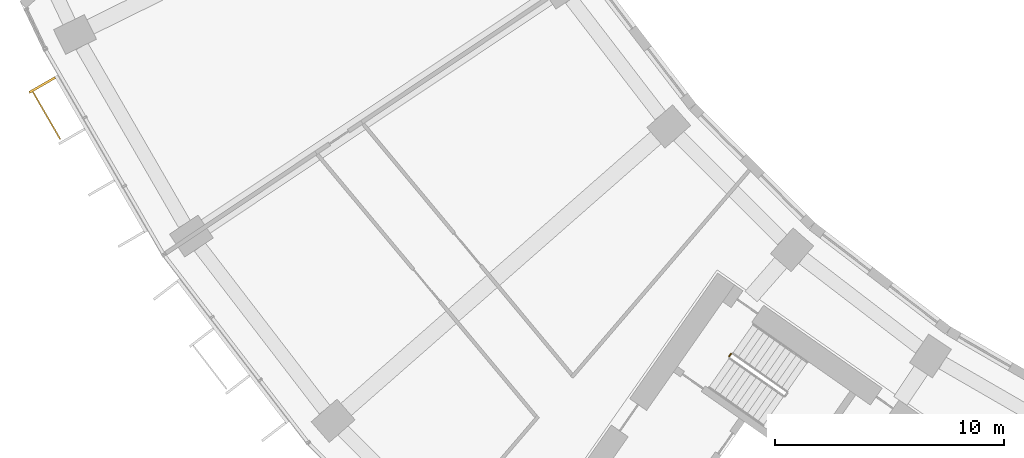
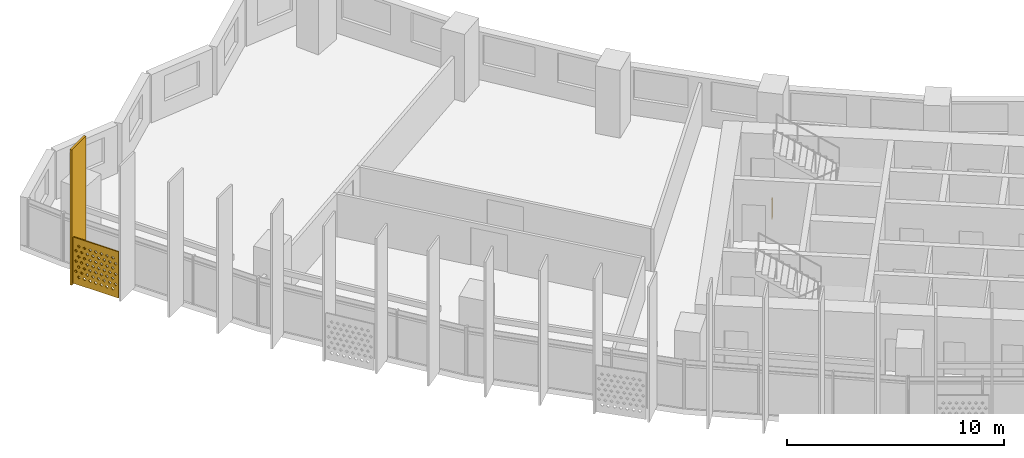
# One storey, part 26 of 30: 2 shading devices, 1 railing.
"""IFC4 building model written with IfcOpenShell, lengths in metres."""

from ifc_helpers import new_model, si_unit, direction, frame, origin, origin_2d, place, context, subcontext, project, spatial, polyline, rectangle, circle, outline, extrude, material, material_profile, profile_set, type_object, element, save


model = new_model("IFC4")

# Units and contexts
model_context = context("Model", 3, precision=1e-05, world=origin(), true_north=direction((0.0, 1.0)))
body_context = subcontext(model_context, "Body", "Model", "MODEL_VIEW")
ifc_project = project(units=[si_unit("LENGTHUNIT", "METRE"), si_unit("AREAUNIT", "SQUARE_METRE"), si_unit("VOLUMEUNIT", "CUBIC_METRE"), si_unit("PLANEANGLEUNIT", "RADIAN"), si_unit("MASSUNIT", "GRAM", prefix="KILO")], contexts=[model_context])

# Site, building, storey
site_placement = place(None, origin())
site = spatial("IfcSite", under=ifc_project, at=site_placement, CompositionType="ELEMENT")
building_placement = place(site_placement, origin())
building = spatial("IfcBuilding", under=site, at=building_placement, Name="Qamariyya Broadcast Tower", CompositionType="ELEMENT")
storey_placement = place(building_placement, frame((0.0, 0.0, 110.10009765625)))
storey = spatial("IfcBuildingStorey", under=building, at=storey_placement, Name="L24", CompositionType="ELEMENT", Elevation=110.10009765625)

# Shading device
ifc_material_1 = material(Name="Perforated glazed terracotta", Category="masonry")
ifc_material_profile_1 = material_profile(ifc_material_1, outline(polyline([(-1.199951171875, -1.300048828125), (1.199951171875, -1.300048828125), (1.199951171875, 1.300048828125), (-1.199951171875, 1.300048828125), (-1.199951171875, -1.300048828125)]), holes=[polyline([(-0.81494140625, -0.86669921875), (-0.89990234375, -0.78173828125), (-0.985107421875, -0.86669921875), (-0.89990234375, -0.95166015625), (-0.81494140625, -0.86669921875)]), polyline([(-0.514892578125, -0.86669921875), (-0.60009765625, -0.78173828125), (-0.68505859375, -0.86669921875), (-0.60009765625, -0.95166015625), (-0.514892578125, -0.86669921875)]), polyline([(-0.215087890625, -0.86669921875), (-0.300048828125, -0.78173828125), (-0.385009765625, -0.86669921875), (-0.300048828125, -0.95166015625), (-0.215087890625, -0.86669921875)]), polyline([(0.0849609375, -0.86669921875), (0.0, -0.78173828125), (-0.0849609375, -0.86669921875), (0.0, -0.95166015625), (0.0849609375, -0.86669921875)]), polyline([(0.385009765625, -0.86669921875), (0.300048828125, -0.78173828125), (0.215087890625, -0.86669921875), (0.300048828125, -0.95166015625), (0.385009765625, -0.86669921875)]), polyline([(0.68505859375, -0.86669921875), (0.60009765625, -0.78173828125), (0.514892578125, -0.86669921875), (0.60009765625, -0.95166015625), (0.68505859375, -0.86669921875)]), polyline([(0.985107421875, -0.86669921875), (0.89990234375, -0.78173828125), (0.81494140625, -0.86669921875), (0.89990234375, -0.95166015625), (0.985107421875, -0.86669921875)]), polyline([(-0.965087890625, -0.577880859375), (-1.050048828125, -0.49267578125), (-1.135009765625, -0.577880859375), (-1.050048828125, -0.662841796875), (-0.965087890625, -0.577880859375)]), polyline([(-0.6650390625, -0.577880859375), (-0.75, -0.49267578125), (-0.8349609375, -0.577880859375), (-0.75, -0.662841796875), (-0.6650390625, -0.577880859375)]), polyline([(-0.364990234375, -0.577880859375), (-0.449951171875, -0.49267578125), (-0.534912109375, -0.577880859375), (-0.449951171875, -0.662841796875), (-0.364990234375, -0.577880859375)]), polyline([(-0.06494140625, -0.577880859375), (-0.14990234375, -0.49267578125), (-0.235107421875, -0.577880859375), (-0.14990234375, -0.662841796875), (-0.06494140625, -0.577880859375)]), polyline([(0.235107421875, -0.577880859375), (0.14990234375, -0.49267578125), (0.06494140625, -0.577880859375), (0.14990234375, -0.662841796875), (0.235107421875, -0.577880859375)]), polyline([(0.534912109375, -0.577880859375), (0.449951171875, -0.49267578125), (0.364990234375, -0.577880859375), (0.449951171875, -0.662841796875), (0.534912109375, -0.577880859375)]), polyline([(0.8349609375, -0.577880859375), (0.75, -0.49267578125), (0.6650390625, -0.577880859375), (0.75, -0.662841796875), (0.8349609375, -0.577880859375)]), polyline([(1.135009765625, -0.577880859375), (1.050048828125, -0.49267578125), (0.965087890625, -0.577880859375), (1.050048828125, -0.662841796875), (1.135009765625, -0.577880859375)]), polyline([(-0.81494140625, -0.288818359375), (-0.89990234375, -0.203857421875), (-0.985107421875, -0.288818359375), (-0.89990234375, -0.373779296875), (-0.81494140625, -0.288818359375)]), polyline([(-0.514892578125, -0.288818359375), (-0.60009765625, -0.203857421875), (-0.68505859375, -0.288818359375), (-0.60009765625, -0.373779296875), (-0.514892578125, -0.288818359375)]), polyline([(-0.215087890625, -0.288818359375), (-0.300048828125, -0.203857421875), (-0.385009765625, -0.288818359375), (-0.300048828125, -0.373779296875), (-0.215087890625, -0.288818359375)]), polyline([(0.0849609375, -0.288818359375), (0.0, -0.203857421875), (-0.0849609375, -0.288818359375), (0.0, -0.373779296875), (0.0849609375, -0.288818359375)]), polyline([(0.385009765625, -0.288818359375), (0.300048828125, -0.203857421875), (0.215087890625, -0.288818359375), (0.300048828125, -0.373779296875), (0.385009765625, -0.288818359375)]), polyline([(0.68505859375, -0.288818359375), (0.60009765625, -0.203857421875), (0.514892578125, -0.288818359375), (0.60009765625, -0.373779296875), (0.68505859375, -0.288818359375)]), polyline([(0.985107421875, -0.288818359375), (0.89990234375, -0.203857421875), (0.81494140625, -0.288818359375), (0.89990234375, -0.373779296875), (0.985107421875, -0.288818359375)]), polyline([(-0.965087890625, 0.0), (-1.050048828125, 0.0849609375), (-1.135009765625, 0.0), (-1.050048828125, -0.0849609375), (-0.965087890625, 0.0)]), polyline([(-0.6650390625, 0.0), (-0.75, 0.0849609375), (-0.8349609375, 0.0), (-0.75, -0.0849609375), (-0.6650390625, 0.0)]), polyline([(-0.364990234375, 0.0), (-0.449951171875, 0.0849609375), (-0.534912109375, 0.0), (-0.449951171875, -0.0849609375), (-0.364990234375, 0.0)]), polyline([(-0.06494140625, 0.0), (-0.14990234375, 0.0849609375), (-0.235107421875, 0.0), (-0.14990234375, -0.0849609375), (-0.06494140625, 0.0)]), polyline([(0.235107421875, 0.0), (0.14990234375, 0.0849609375), (0.06494140625, 0.0), (0.14990234375, -0.0849609375), (0.235107421875, 0.0)]), polyline([(0.534912109375, 0.0), (0.449951171875, 0.0849609375), (0.364990234375, 0.0), (0.449951171875, -0.0849609375), (0.534912109375, 0.0)]), polyline([(0.8349609375, 0.0), (0.75, 0.0849609375), (0.6650390625, 0.0), (0.75, -0.0849609375), (0.8349609375, 0.0)]), polyline([(1.135009765625, 0.0), (1.050048828125, 0.0849609375), (0.965087890625, 0.0), (1.050048828125, -0.0849609375), (1.135009765625, 0.0)]), polyline([(-0.81494140625, 0.288818359375), (-0.89990234375, 0.373779296875), (-0.985107421875, 0.288818359375), (-0.89990234375, 0.203857421875), (-0.81494140625, 0.288818359375)]), polyline([(-0.514892578125, 0.288818359375), (-0.60009765625, 0.373779296875), (-0.68505859375, 0.288818359375), (-0.60009765625, 0.203857421875), (-0.514892578125, 0.288818359375)]), polyline([(-0.215087890625, 0.288818359375), (-0.300048828125, 0.373779296875), (-0.385009765625, 0.288818359375), (-0.300048828125, 0.203857421875), (-0.215087890625, 0.288818359375)]), polyline([(0.0849609375, 0.288818359375), (0.0, 0.373779296875), (-0.0849609375, 0.288818359375), (0.0, 0.203857421875), (0.0849609375, 0.288818359375)]), polyline([(0.385009765625, 0.288818359375), (0.300048828125, 0.373779296875), (0.215087890625, 0.288818359375), (0.300048828125, 0.203857421875), (0.385009765625, 0.288818359375)]), polyline([(0.68505859375, 0.288818359375), (0.60009765625, 0.373779296875), (0.514892578125, 0.288818359375), (0.60009765625, 0.203857421875), (0.68505859375, 0.288818359375)]), polyline([(0.985107421875, 0.288818359375), (0.89990234375, 0.373779296875), (0.81494140625, 0.288818359375), (0.89990234375, 0.203857421875), (0.985107421875, 0.288818359375)]), polyline([(-0.965087890625, 0.577880859375), (-1.050048828125, 0.662841796875), (-1.135009765625, 0.577880859375), (-1.050048828125, 0.49267578125), (-0.965087890625, 0.577880859375)]), polyline([(-0.6650390625, 0.577880859375), (-0.75, 0.662841796875), (-0.8349609375, 0.577880859375), (-0.75, 0.49267578125), (-0.6650390625, 0.577880859375)]), polyline([(-0.364990234375, 0.577880859375), (-0.449951171875, 0.662841796875), (-0.534912109375, 0.577880859375), (-0.449951171875, 0.49267578125), (-0.364990234375, 0.577880859375)]), polyline([(-0.06494140625, 0.577880859375), (-0.14990234375, 0.662841796875), (-0.235107421875, 0.577880859375), (-0.14990234375, 0.49267578125), (-0.06494140625, 0.577880859375)]), polyline([(0.235107421875, 0.577880859375), (0.14990234375, 0.662841796875), (0.06494140625, 0.577880859375), (0.14990234375, 0.49267578125), (0.235107421875, 0.577880859375)]), polyline([(0.534912109375, 0.577880859375), (0.449951171875, 0.662841796875), (0.364990234375, 0.577880859375), (0.449951171875, 0.49267578125), (0.534912109375, 0.577880859375)]), polyline([(0.8349609375, 0.577880859375), (0.75, 0.662841796875), (0.6650390625, 0.577880859375), (0.75, 0.49267578125), (0.8349609375, 0.577880859375)]), polyline([(1.135009765625, 0.577880859375), (1.050048828125, 0.662841796875), (0.965087890625, 0.577880859375), (1.050048828125, 0.49267578125), (1.135009765625, 0.577880859375)]), polyline([(-0.81494140625, 0.86669921875), (-0.89990234375, 0.95166015625), (-0.985107421875, 0.86669921875), (-0.89990234375, 0.78173828125), (-0.81494140625, 0.86669921875)]), polyline([(-0.514892578125, 0.86669921875), (-0.60009765625, 0.95166015625), (-0.68505859375, 0.86669921875), (-0.60009765625, 0.78173828125), (-0.514892578125, 0.86669921875)]), polyline([(-0.215087890625, 0.86669921875), (-0.300048828125, 0.95166015625), (-0.385009765625, 0.86669921875), (-0.300048828125, 0.78173828125), (-0.215087890625, 0.86669921875)]), polyline([(0.0849609375, 0.86669921875), (0.0, 0.95166015625), (-0.0849609375, 0.86669921875), (0.0, 0.78173828125), (0.0849609375, 0.86669921875)]), polyline([(0.385009765625, 0.86669921875), (0.300048828125, 0.95166015625), (0.215087890625, 0.86669921875), (0.300048828125, 0.78173828125), (0.385009765625, 0.86669921875)]), polyline([(0.68505859375, 0.86669921875), (0.60009765625, 0.95166015625), (0.514892578125, 0.86669921875), (0.60009765625, 0.78173828125), (0.68505859375, 0.86669921875)]), polyline([(0.985107421875, 0.86669921875), (0.89990234375, 0.95166015625), (0.81494140625, 0.86669921875), (0.89990234375, 0.78173828125), (0.985107421875, 0.86669921875)])]))
ifc_profile_set_1 = profile_set([ifc_material_profile_1], Name="Perforated glazed terracotta")
shading_device_type_1 = type_object("IfcShadingDeviceType", Name="Perforated terracotta screen 2400 x 2600", PredefinedType="USERDEFINED", material=ifc_profile_set_1)
shading_device_1_placement = place(storey_placement, frame((-70.948486328125, -37.913818359375, 1.349853515625), z_axis=(-0.865982457891, -0.500074377092, 0.0), x_axis=(0.500074377092, -0.865982457891, 0.0)))
element("IfcShadingDevice", 1, at=shading_device_1_placement, inside=storey, type_object=shading_device_type_1, Name="e-scr-L24-01-0", ObjectType="SCREEN", PredefinedType="USERDEFINED", context=body_context, shape_type="SweptSolid", body=[
    extrude(outline(polyline([(-1.199951171875, -1.300048828125), (1.199951171875, -1.300048828125), (1.199951171875, 1.300048828125), (-1.199951171875, 1.300048828125), (-1.199951171875, -1.300048828125)]), holes=[polyline([(-0.81494140625, -0.86669921875), (-0.89990234375, -0.78173828125), (-0.985107421875, -0.86669921875), (-0.89990234375, -0.95166015625), (-0.81494140625, -0.86669921875)]), polyline([(-0.514892578125, -0.86669921875), (-0.60009765625, -0.78173828125), (-0.68505859375, -0.86669921875), (-0.60009765625, -0.95166015625), (-0.514892578125, -0.86669921875)]), polyline([(-0.215087890625, -0.86669921875), (-0.300048828125, -0.78173828125), (-0.385009765625, -0.86669921875), (-0.300048828125, -0.95166015625), (-0.215087890625, -0.86669921875)]), polyline([(0.0849609375, -0.86669921875), (0.0, -0.78173828125), (-0.0849609375, -0.86669921875), (0.0, -0.95166015625), (0.0849609375, -0.86669921875)]), polyline([(0.385009765625, -0.86669921875), (0.300048828125, -0.78173828125), (0.215087890625, -0.86669921875), (0.300048828125, -0.95166015625), (0.385009765625, -0.86669921875)]), polyline([(0.68505859375, -0.86669921875), (0.60009765625, -0.78173828125), (0.514892578125, -0.86669921875), (0.60009765625, -0.95166015625), (0.68505859375, -0.86669921875)]), polyline([(0.985107421875, -0.86669921875), (0.89990234375, -0.78173828125), (0.81494140625, -0.86669921875), (0.89990234375, -0.95166015625), (0.985107421875, -0.86669921875)]), polyline([(-0.965087890625, -0.577880859375), (-1.050048828125, -0.49267578125), (-1.135009765625, -0.577880859375), (-1.050048828125, -0.662841796875), (-0.965087890625, -0.577880859375)]), polyline([(-0.6650390625, -0.577880859375), (-0.75, -0.49267578125), (-0.8349609375, -0.577880859375), (-0.75, -0.662841796875), (-0.6650390625, -0.577880859375)]), polyline([(-0.364990234375, -0.577880859375), (-0.449951171875, -0.49267578125), (-0.534912109375, -0.577880859375), (-0.449951171875, -0.662841796875), (-0.364990234375, -0.577880859375)]), polyline([(-0.06494140625, -0.577880859375), (-0.14990234375, -0.49267578125), (-0.235107421875, -0.577880859375), (-0.14990234375, -0.662841796875), (-0.06494140625, -0.577880859375)]), polyline([(0.235107421875, -0.577880859375), (0.14990234375, -0.49267578125), (0.06494140625, -0.577880859375), (0.14990234375, -0.662841796875), (0.235107421875, -0.577880859375)]), polyline([(0.534912109375, -0.577880859375), (0.449951171875, -0.49267578125), (0.364990234375, -0.577880859375), (0.449951171875, -0.662841796875), (0.534912109375, -0.577880859375)]), polyline([(0.8349609375, -0.577880859375), (0.75, -0.49267578125), (0.6650390625, -0.577880859375), (0.75, -0.662841796875), (0.8349609375, -0.577880859375)]), polyline([(1.135009765625, -0.577880859375), (1.050048828125, -0.49267578125), (0.965087890625, -0.577880859375), (1.050048828125, -0.662841796875), (1.135009765625, -0.577880859375)]), polyline([(-0.81494140625, -0.288818359375), (-0.89990234375, -0.203857421875), (-0.985107421875, -0.288818359375), (-0.89990234375, -0.373779296875), (-0.81494140625, -0.288818359375)]), polyline([(-0.514892578125, -0.288818359375), (-0.60009765625, -0.203857421875), (-0.68505859375, -0.288818359375), (-0.60009765625, -0.373779296875), (-0.514892578125, -0.288818359375)]), polyline([(-0.215087890625, -0.288818359375), (-0.300048828125, -0.203857421875), (-0.385009765625, -0.288818359375), (-0.300048828125, -0.373779296875), (-0.215087890625, -0.288818359375)]), polyline([(0.0849609375, -0.288818359375), (0.0, -0.203857421875), (-0.0849609375, -0.288818359375), (0.0, -0.373779296875), (0.0849609375, -0.288818359375)]), polyline([(0.385009765625, -0.288818359375), (0.300048828125, -0.203857421875), (0.215087890625, -0.288818359375), (0.300048828125, -0.373779296875), (0.385009765625, -0.288818359375)]), polyline([(0.68505859375, -0.288818359375), (0.60009765625, -0.203857421875), (0.514892578125, -0.288818359375), (0.60009765625, -0.373779296875), (0.68505859375, -0.288818359375)]), polyline([(0.985107421875, -0.288818359375), (0.89990234375, -0.203857421875), (0.81494140625, -0.288818359375), (0.89990234375, -0.373779296875), (0.985107421875, -0.288818359375)]), polyline([(-0.965087890625, 0.0), (-1.050048828125, 0.0849609375), (-1.135009765625, 0.0), (-1.050048828125, -0.0849609375), (-0.965087890625, 0.0)]), polyline([(-0.6650390625, 0.0), (-0.75, 0.0849609375), (-0.8349609375, 0.0), (-0.75, -0.0849609375), (-0.6650390625, 0.0)]), polyline([(-0.364990234375, 0.0), (-0.449951171875, 0.0849609375), (-0.534912109375, 0.0), (-0.449951171875, -0.0849609375), (-0.364990234375, 0.0)]), polyline([(-0.06494140625, 0.0), (-0.14990234375, 0.0849609375), (-0.235107421875, 0.0), (-0.14990234375, -0.0849609375), (-0.06494140625, 0.0)]), polyline([(0.235107421875, 0.0), (0.14990234375, 0.0849609375), (0.06494140625, 0.0), (0.14990234375, -0.0849609375), (0.235107421875, 0.0)]), polyline([(0.534912109375, 0.0), (0.449951171875, 0.0849609375), (0.364990234375, 0.0), (0.449951171875, -0.0849609375), (0.534912109375, 0.0)]), polyline([(0.8349609375, 0.0), (0.75, 0.0849609375), (0.6650390625, 0.0), (0.75, -0.0849609375), (0.8349609375, 0.0)]), polyline([(1.135009765625, 0.0), (1.050048828125, 0.0849609375), (0.965087890625, 0.0), (1.050048828125, -0.0849609375), (1.135009765625, 0.0)]), polyline([(-0.81494140625, 0.288818359375), (-0.89990234375, 0.373779296875), (-0.985107421875, 0.288818359375), (-0.89990234375, 0.203857421875), (-0.81494140625, 0.288818359375)]), polyline([(-0.514892578125, 0.288818359375), (-0.60009765625, 0.373779296875), (-0.68505859375, 0.288818359375), (-0.60009765625, 0.203857421875), (-0.514892578125, 0.288818359375)]), polyline([(-0.215087890625, 0.288818359375), (-0.300048828125, 0.373779296875), (-0.385009765625, 0.288818359375), (-0.300048828125, 0.203857421875), (-0.215087890625, 0.288818359375)]), polyline([(0.0849609375, 0.288818359375), (0.0, 0.373779296875), (-0.0849609375, 0.288818359375), (0.0, 0.203857421875), (0.0849609375, 0.288818359375)]), polyline([(0.385009765625, 0.288818359375), (0.300048828125, 0.373779296875), (0.215087890625, 0.288818359375), (0.300048828125, 0.203857421875), (0.385009765625, 0.288818359375)]), polyline([(0.68505859375, 0.288818359375), (0.60009765625, 0.373779296875), (0.514892578125, 0.288818359375), (0.60009765625, 0.203857421875), (0.68505859375, 0.288818359375)]), polyline([(0.985107421875, 0.288818359375), (0.89990234375, 0.373779296875), (0.81494140625, 0.288818359375), (0.89990234375, 0.203857421875), (0.985107421875, 0.288818359375)]), polyline([(-0.965087890625, 0.577880859375), (-1.050048828125, 0.662841796875), (-1.135009765625, 0.577880859375), (-1.050048828125, 0.49267578125), (-0.965087890625, 0.577880859375)]), polyline([(-0.6650390625, 0.577880859375), (-0.75, 0.662841796875), (-0.8349609375, 0.577880859375), (-0.75, 0.49267578125), (-0.6650390625, 0.577880859375)]), polyline([(-0.364990234375, 0.577880859375), (-0.449951171875, 0.662841796875), (-0.534912109375, 0.577880859375), (-0.449951171875, 0.49267578125), (-0.364990234375, 0.577880859375)]), polyline([(-0.06494140625, 0.577880859375), (-0.14990234375, 0.662841796875), (-0.235107421875, 0.577880859375), (-0.14990234375, 0.49267578125), (-0.06494140625, 0.577880859375)]), polyline([(0.235107421875, 0.577880859375), (0.14990234375, 0.662841796875), (0.06494140625, 0.577880859375), (0.14990234375, 0.49267578125), (0.235107421875, 0.577880859375)]), polyline([(0.534912109375, 0.577880859375), (0.449951171875, 0.662841796875), (0.364990234375, 0.577880859375), (0.449951171875, 0.49267578125), (0.534912109375, 0.577880859375)]), polyline([(0.8349609375, 0.577880859375), (0.75, 0.662841796875), (0.6650390625, 0.577880859375), (0.75, 0.49267578125), (0.8349609375, 0.577880859375)]), polyline([(1.135009765625, 0.577880859375), (1.050048828125, 0.662841796875), (0.965087890625, 0.577880859375), (1.050048828125, 0.49267578125), (1.135009765625, 0.577880859375)]), polyline([(-0.81494140625, 0.86669921875), (-0.89990234375, 0.95166015625), (-0.985107421875, 0.86669921875), (-0.89990234375, 0.78173828125), (-0.81494140625, 0.86669921875)]), polyline([(-0.514892578125, 0.86669921875), (-0.60009765625, 0.95166015625), (-0.68505859375, 0.86669921875), (-0.60009765625, 0.78173828125), (-0.514892578125, 0.86669921875)]), polyline([(-0.215087890625, 0.86669921875), (-0.300048828125, 0.95166015625), (-0.385009765625, 0.86669921875), (-0.300048828125, 0.78173828125), (-0.215087890625, 0.86669921875)]), polyline([(0.0849609375, 0.86669921875), (0.0, 0.95166015625), (-0.0849609375, 0.86669921875), (0.0, 0.78173828125), (0.0849609375, 0.86669921875)]), polyline([(0.385009765625, 0.86669921875), (0.300048828125, 0.95166015625), (0.215087890625, 0.86669921875), (0.300048828125, 0.78173828125), (0.385009765625, 0.86669921875)]), polyline([(0.68505859375, 0.86669921875), (0.60009765625, 0.95166015625), (0.514892578125, 0.86669921875), (0.60009765625, 0.78173828125), (0.68505859375, 0.86669921875)]), polyline([(0.985107421875, 0.86669921875), (0.89990234375, 0.95166015625), (0.81494140625, 0.86669921875), (0.89990234375, 0.78173828125), (0.985107421875, 0.86669921875)])]), origin(), (0.0, 0.0, 1.0), 0.06005859375),
])

# Railing
ifc_material_2 = material(Name="Painted steel", Category="steel")
railing_type = type_object("IfcRailingType", Name="Stair guard", PredefinedType="GUARDRAIL", material=ifc_material_2)
railing_placement = place(storey_placement, frame((-41.158935546875, -48.455322265625, 0.0)))
element("IfcRailing", 2, at=railing_placement, inside=storey, type_object=railing_type, Name="L24 ST-W2 stair guard 3", PredefinedType="GUARDRAIL", context=body_context, shape_type="SweptSolid", body=[
    extrude(circle(Radius=0.02392578125, at=origin_2d()), frame((0.0, 0.0, 1.076171875), z_axis=(0.572588637393, 0.819842821722, 0.0), x_axis=(-0.819842821722, 0.572588637393, 0.0)), (0.0, 0.0, 1.0), 0.150146484375),
    extrude(circle(Radius=0.02099609375, at=origin_2d()), origin(), (0.0, 0.0, 1.0), 1.052001953125),
    extrude(circle(Radius=0.02099609375, at=origin_2d()), frame((0.0859375, 0.123046875, 0.0)), (0.0, 0.0, 1.0), 1.052001953125),
])

# Shading device
ifc_material_3 = material(Name="Glazed terracotta", Category="masonry")
ifc_material_profile_2 = material_profile(ifc_material_3, rectangle(XDim=1.300048828125, YDim=0.10009765625, at=origin_2d()))
ifc_profile_set_2 = profile_set([ifc_material_profile_2], Name="Glazed terracotta")
shading_device_type_2 = type_object("IfcShadingDeviceType", Name="Terracotta fin 100 x 1300", PredefinedType="USERDEFINED", material=ifc_profile_set_2)
shading_device_2_placement = place(storey_placement, frame((-71.16650390625, -36.596435546875, 0.0), z_axis=(0.0, 0.0, 1.0), x_axis=(-0.866025403784, -0.5, 0.0)))
element("IfcShadingDevice", 3, at=shading_device_2_placement, inside=storey, type_object=shading_device_type_2, Name="e-fin-L24-01-0", ObjectType="FIN", PredefinedType="USERDEFINED", context=body_context, shape_type="SweptSolid", body=[
    extrude(rectangle(XDim=1.300048828125, YDim=0.10009765625, at=origin_2d()), origin(), (0.0, 0.0, 1.0), 7.599853515625),
])

save(model, "model.ifc")
